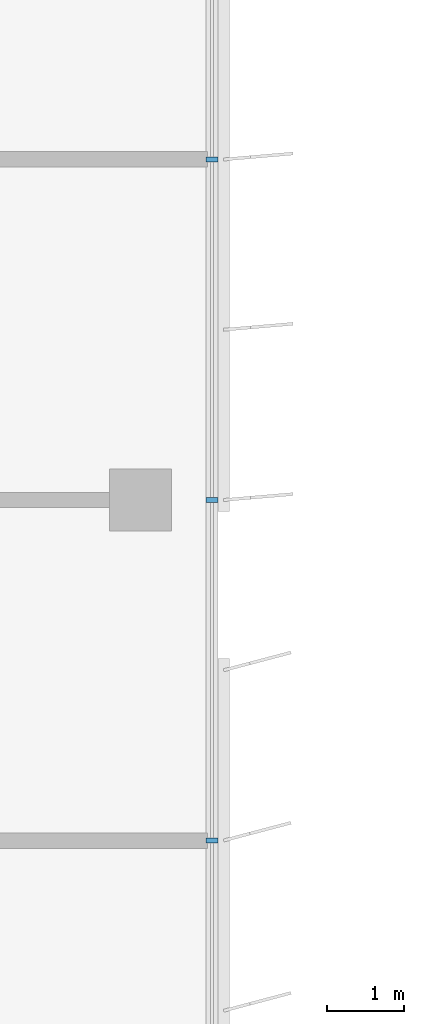
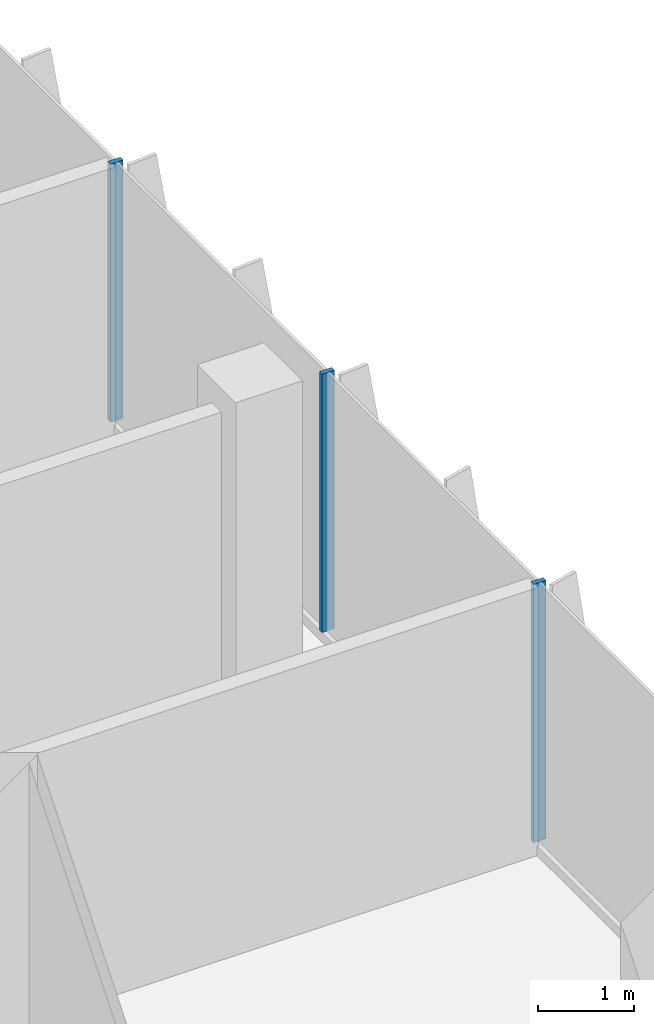
# One storey, part 4 of 15: 3 members, 1 element without a shape of its own.
"""IFC4 building model written with IfcOpenShell, lengths in metres."""

from ifc_helpers import new_model, si_unit, direction, frame, origin, origin_2d, place, context, subcontext, project, spatial, rectangle, extrude, source, transform, mapped, material, material_profile, profile_set, type_object, element, aggregate, save


model = new_model("IFC4")

# Units and contexts
model_context = context("Model", 3, precision=1e-05, world=origin(), true_north=direction((0.0, 1.0)))
body_context = subcontext(model_context, "Body", "Model", "MODEL_VIEW")
ifc_project = project(units=[si_unit("LENGTHUNIT", "METRE"), si_unit("AREAUNIT", "SQUARE_METRE"), si_unit("VOLUMEUNIT", "CUBIC_METRE"), si_unit("PLANEANGLEUNIT", "RADIAN"), si_unit("MASSUNIT", "GRAM", prefix="KILO")], contexts=[model_context])

# Site, building, storey
site_placement = place(None, origin())
site = spatial("IfcSite", under=ifc_project, at=site_placement, CompositionType="ELEMENT")
building_placement = place(site_placement, origin())
building = spatial("IfcBuilding", under=site, at=building_placement, Name="Kemantara Hotel Tower", CompositionType="ELEMENT")
storey_placement = place(building_placement, frame((0.0, 0.0, 268.5)))
storey = spatial("IfcBuildingStorey", under=building, at=storey_placement, Name="L67", CompositionType="ELEMENT", Elevation=268.5)

# Curtain wall, members
ifc_material_1 = material(Name="Low-E tinted double insulated glass 36 mm", Category="glass")
curtain_wall_type = type_object("IfcCurtainWallType", Name="TOWER CURTAIN WALL, FRONT FACES", PredefinedType="USERDEFINED", material=ifc_material_1)
curtain_wall_placement = place(storey_placement, origin())
curtain_wall = element("IfcCurtainWall", 1, at=curtain_wall_placement, inside=storey, type_object=curtain_wall_type, Name="CW4 L67 T4-R15-1", ObjectType="TOWER CURTAIN WALL, FRONT FACES", PredefinedType="USERDEFINED")
ifc_material_2 = material(Name="Aluminium 6063-T6 bronze anodised", Category="aluminium")
ifc_material_profile = material_profile(ifc_material_2, rectangle(XDim=0.14990234375, YDim=0.06005859375, at=origin_2d()), Name="TOWER CURTAIN WALL, FRONT FACES MULLION")
ifc_profile_set = profile_set([ifc_material_profile], Name="Aluminium 6063-T6 bronze anodised")
member_type = type_object("IfcMemberType", Name="TOWER CURTAIN WALL, FRONT FACES MULLION", PredefinedType="MULLION", material=ifc_profile_set)
shared_shape = source(origin(), body_context, "Body", "SweptSolid", [
    extrude(rectangle(XDim=0.14990234375, YDim=0.06005859375, at=origin_2d()), origin(), (0.0, 0.0, 1.0), 3.27978515625),
])
member_1_placement = place(storey_placement, frame((21.925048828125, 31.800048828125, 0.1201171875), z_axis=(0.0, 0.0, 1.0), x_axis=(-1.0, 0.0, 0.0)))
member_1 = element("IfcMember", 2, at=member_1_placement, type_object=member_type, Name="CW4 mullion T4-R15-1.3", PredefinedType="MULLION", context=body_context, shape_type="MappedRepresentation", body=[
    mapped(shared_shape, transform((0.0, 0.0, 0.0))),
])
member_2_placement = place(storey_placement, frame((21.925048828125, 36.199951171875, 0.1201171875), z_axis=(0.0, 0.0, 1.0), x_axis=(-1.0, 0.0, 0.0)))
member_2 = element("IfcMember", 3, at=member_2_placement, type_object=member_type, Name="CW4 mullion T4-R15-1.4", PredefinedType="MULLION", context=body_context, shape_type="MappedRepresentation", body=[
    mapped(shared_shape, transform((0.0, 0.0, 0.0))),
])
member_3_placement = place(storey_placement, frame((21.925048828125, 40.60009765625, 0.1201171875), z_axis=(0.0, 0.0, 1.0), x_axis=(-1.0, 0.0, 0.0)))
member_3 = element("IfcMember", 4, at=member_3_placement, type_object=member_type, Name="CW4 mullion T4-R15-1.5", PredefinedType="MULLION", context=body_context, shape_type="MappedRepresentation", body=[
    mapped(shared_shape, transform((0.0, 0.0, 0.0))),
])
aggregate(curtain_wall, [member_1, member_2, member_3])

save(model, "model.ifc")
